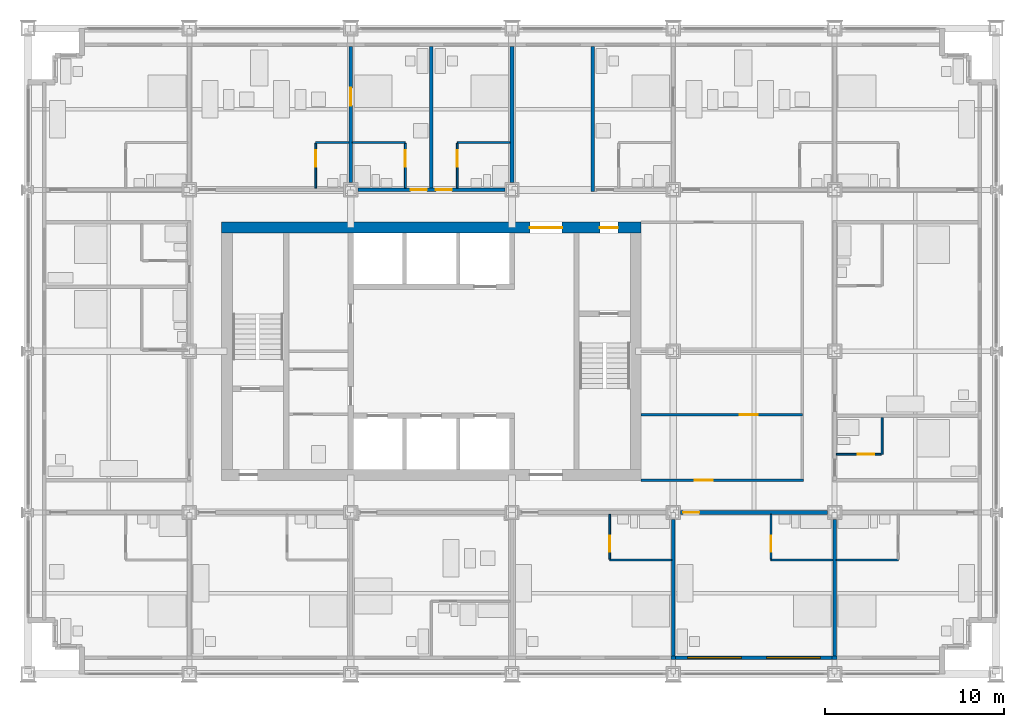
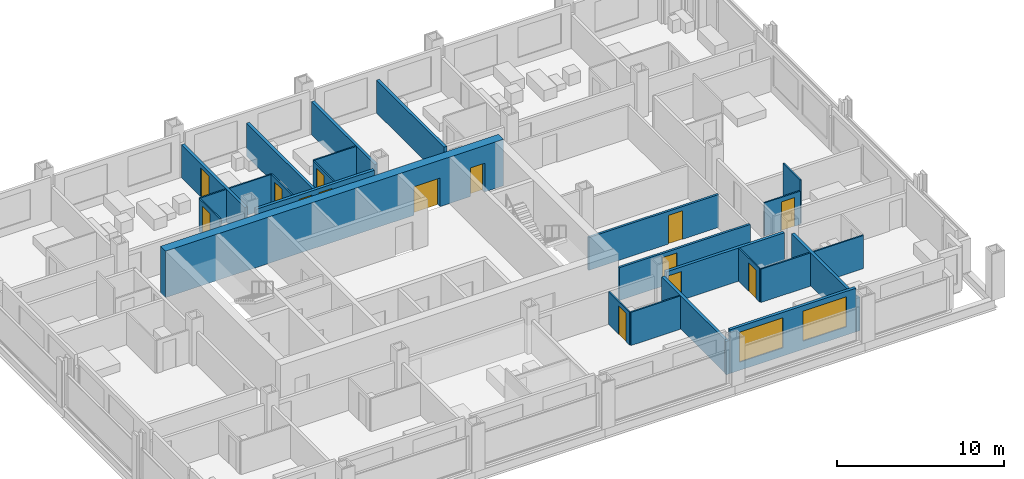
# One storey, part 12 of 18: 27 walls, 14 doors, 2 windows, 16 openings.
"""IFC4 building model written with IfcOpenShell, lengths in metres."""

import ifcopenshell
import ifcopenshell.guid

model = None  # the IFC model being written
_history = None  # IfcOwnerHistory: only IFC2X3 demands one
_inside = {}  # id of a spatial element -> (the spatial element, [elements in it])
_under = {}  # id of a project, library or spatial element -> (it, [spatial elements below it])
_declared = {}  # id of a project -> (the project, [libraries it declares])
_typed = {}  # id of a type object -> (the type object, [elements of that type])
_made_of = {}  # id of a material, layer set ... -> (it, [elements and type objects made of it])


def new_model(schema):
    """Start an empty IFC model of exactly this schema.

    Asked for "IFC4X3", IfcOpenShell would pick the latest addendum, in which some entities
    have other attributes; the version numbers below select the first issue.
    IFC2X3 requires an IfcOwnerHistory on every rooted entity: one is made here for all.
    """
    global model, _history
    if schema == "IFC4X3":
        model = ifcopenshell.file(schema_version=(4, 3, 0, 0))
    else:
        model = ifcopenshell.file(schema=schema)
    _inside.clear()
    _under.clear()
    _declared.clear()
    _typed.clear()
    _made_of.clear()
    _history = None
    if model.schema == "IFC2X3":
        org = make("IfcOrganization", Name="unknown")
        user = make(
            "IfcPersonAndOrganization",
            ThePerson=make("IfcPerson", FamilyName="unknown"),
            TheOrganization=org,
        )
        app = make(
            "IfcApplication",
            ApplicationDeveloper=org,
            Version="unknown",
            ApplicationFullName="unknown",
            ApplicationIdentifier="unknown",
        )
        _history = make(
            "IfcOwnerHistory",
            OwningUser=user,
            OwningApplication=app,
            ChangeAction="ADDED",
            CreationDate=0,
        )
    return model


def make(cls, **values):
    """One entity of the class cls with the attributes given. An attribute that is None is left unset."""
    return model.create_entity(
        cls, **{name: value for name, value in values.items() if value is not None}
    )


def rooted(cls, **values):
    """An entity with a GlobalId (a new one), such as an element, a storey or a relation."""
    return make(cls, GlobalId=ifcopenshell.guid.new(), OwnerHistory=_history, **values)


def si_unit(unit_type, name, prefix=None):
    """IfcSIUnit, for example si_unit("LENGTHUNIT", "METRE", prefix="MILLI")."""
    return make("IfcSIUnit", UnitType=unit_type, Prefix=prefix, Name=name)


def assignment(units):
    """IfcUnitAssignment: the units of a project."""
    return None if units is None else make("IfcUnitAssignment", Units=units)


def point(xyz):
    """IfcCartesianPoint."""
    return None if xyz is None else make("IfcCartesianPoint", Coordinates=xyz)


def direction(xyz):
    """IfcDirection."""
    return None if xyz is None else make("IfcDirection", DirectionRatios=xyz)


def frame(location, z_axis=None, x_axis=None):
    """IfcAxis2Placement3D, a coordinate frame: its origin and axes. An axis left out is left unset."""
    return make(
        "IfcAxis2Placement3D",
        Location=point(location),
        Axis=direction(z_axis),
        RefDirection=direction(x_axis),
    )


def frame_2d(location, x_axis=None):
    """IfcAxis2Placement2D, a coordinate frame in the plane: its origin and x axis."""
    return make(
        "IfcAxis2Placement2D", Location=point(location), RefDirection=direction(x_axis)
    )


def origin():
    """The frame at (0, 0, 0) with its axes left unset."""
    return frame((0.0, 0.0, 0.0))


def place(relative_to, where):
    """IfcLocalPlacement: puts the frame where relative to a parent placement (None: the world)."""
    return make(
        "IfcLocalPlacement", PlacementRelTo=relative_to, RelativePlacement=where
    )


def context(
    kind, dimensions, precision=None, world=None, true_north=None, identifier=None
):
    """IfcGeometricRepresentationContext, for example the 3D "Model" context."""
    return make(
        "IfcGeometricRepresentationContext",
        ContextIdentifier=identifier,
        ContextType=kind,
        CoordinateSpaceDimension=dimensions,
        Precision=precision,
        WorldCoordinateSystem=world,
        TrueNorth=true_north,
    )


def subcontext(parent, identifier, kind, view, scale=None):
    """IfcGeometricRepresentationSubContext, for example "Body" below "Model"."""
    return make(
        "IfcGeometricRepresentationSubContext",
        ContextIdentifier=identifier,
        ContextType=kind,
        ParentContext=parent,
        TargetScale=scale,
        TargetView=view,
    )


def project(units=None, contexts=None):
    """IfcProject with its units and contexts."""
    return rooted(
        "IfcProject",
        Name="project",
        RepresentationContexts=contexts,
        UnitsInContext=assignment(units),
    )


def spatial(cls, under=None, at=None, **own):
    """A site, building, storey or space (cls), placed at a placement, below another one or the project."""
    s = rooted(cls, ObjectPlacement=at, **own)
    if under is not None:
        _under.setdefault(under.id(), (under, []))[1].append(s)
    return s


def profile(cls, at=None, kind="AREA", **sizes):
    """A parametric profile (cls). Its sizes go by their IFC names, for example OverallWidth=200.0."""
    return make(cls, ProfileType=kind, Position=at, **sizes)


def rectangle(**sizes):
    """IfcRectangleProfileDef."""
    return profile("IfcRectangleProfileDef", **sizes)


def extrude(swept, where, along, depth):
    """IfcExtrudedAreaSolid: the profile swept, set in the frame where, extruded along a direction by depth."""
    return make(
        "IfcExtrudedAreaSolid",
        SweptArea=swept,
        Position=where,
        ExtrudedDirection=direction(along),
        Depth=depth,
    )


def shape(context_of_items, identifier, shape_type, items):
    """IfcShapeRepresentation: the items that make up one representation, for example the "Body"."""
    return make(
        "IfcShapeRepresentation",
        ContextOfItems=context_of_items,
        RepresentationIdentifier=identifier,
        RepresentationType=shape_type,
        Items=items,
    )


def material(Name=None, Category=None):
    """IfcMaterial."""
    return make("IfcMaterial", Name=Name, Category=Category)


def layer(
    of_material, thickness, ventilated=None, Name=None, Category=None, Priority=None
):
    """IfcMaterialLayer: one layer of a wall or slab, of a material (None: an air gap)."""
    return make(
        "IfcMaterialLayer",
        Material=of_material,
        LayerThickness=thickness,
        IsVentilated=ventilated,
        Name=Name,
        Category=Category,
        Priority=Priority,
    )


def layer_set(layers, Name=None):
    """IfcMaterialLayerSet."""
    return make("IfcMaterialLayerSet", MaterialLayers=layers, LayerSetName=Name)


def made_of(thing, what):
    """Note that an element or type object is made of a material, layer set ...; save() writes the relation."""
    if what is not None:
        _made_of.setdefault(what.id(), (what, []))[1].append(thing)
    return thing


def type_object(cls, material=None, **own):
    """A type object (cls), such as IfcWallType, which elements share."""
    return made_of(rooted(cls, **own), material)


def element(
    cls,
    number,
    at=None,
    inside=None,
    cuts=None,
    type_object=None,
    material=None,
    context=None,
    identifier="Body",
    shape_type=None,
    held_by="IfcProductDefinitionShape",
    body=None,
    shapes=None,
    **own,
):
    """One element of the class cls, such as IfcWall. Its Tag is "e" and its number.

    at: its placement. inside: the storey or other place that contains it. cuts: it is an
    opening in that element (IfcRelVoidsElement). A single representation is given by context,
    identifier, shape_type and body (its items); several are given by shapes. held_by: the class
    of the entity that holds the representations. save() writes the other relations.
    """
    e = rooted(cls, Tag="e%d" % number, ObjectPlacement=at, **own)
    if body is not None:
        shapes = [shape(context, identifier, shape_type, body)]
    if shapes is not None:
        e.Representation = make(held_by, Representations=shapes)
    if inside is not None:
        _inside.setdefault(inside.id(), (inside, []))[1].append(e)
    if cuts is not None:
        rooted(
            "IfcRelVoidsElement", RelatingBuildingElement=cuts, RelatedOpeningElement=e
        )
    if type_object is not None:
        _typed.setdefault(type_object.id(), (type_object, []))[1].append(e)
    return made_of(e, material)


def fill(opening, filler):
    """IfcRelFillsElement: the door or window that sits in an opening."""
    return rooted(
        "IfcRelFillsElement",
        RelatingOpeningElement=opening,
        RelatedBuildingElement=filler,
    )


def aggregate(whole, parts):
    """IfcRelAggregates: a whole, such as a stair, and the parts it consists of."""
    return rooted("IfcRelAggregates", RelatingObject=whole, RelatedObjects=parts)


def save(model, path):
    """Write the relations noted so far, then the file.

    IfcRelAggregates (storeys below a building ...), IfcRelContainedInSpatialStructure (elements
    in a storey), IfcRelDefinesByType, IfcRelAssociatesMaterial and IfcRelDeclares: one each for
    every whole, place, type object, material and project.
    """
    for whole, parts in _under.values():
        aggregate(whole, parts)
    for where, things in _inside.values():
        rooted(
            "IfcRelContainedInSpatialStructure",
            RelatedElements=things,
            RelatingStructure=where,
        )
    for kind, things in _typed.values():
        rooted("IfcRelDefinesByType", RelatedObjects=things, RelatingType=kind)
    for what, things in _made_of.values():
        rooted("IfcRelAssociatesMaterial", RelatedObjects=things, RelatingMaterial=what)
    for by, libraries in _declared.values():
        rooted("IfcRelDeclares", RelatingContext=by, RelatedDefinitions=libraries)
    model.write(path)


model = new_model("IFC4")

# Units and contexts
model_context = context("Model", 3, precision=1e-05, world=origin(), true_north=direction((0.0, 1.0)))
body_context = subcontext(model_context, "Body", "Model", "MODEL_VIEW")
ifc_project = project(units=[si_unit("LENGTHUNIT", "METRE"), si_unit("AREAUNIT", "SQUARE_METRE"), si_unit("VOLUMEUNIT", "CUBIC_METRE"), si_unit("PLANEANGLEUNIT", "RADIAN"), si_unit("MASSUNIT", "GRAM", prefix="KILO")], contexts=[model_context])

# Site, building, storey
site_placement = place(None, origin())
site = spatial("IfcSite", under=ifc_project, at=site_placement, CompositionType="ELEMENT")
building_placement = place(site_placement, origin())
building = spatial("IfcBuilding", under=site, at=building_placement, Name="Loomwork Tower", CompositionType="ELEMENT")
storey_placement = place(building_placement, frame((0.0, 0.0, 41.60009765625)))
storey = spatial("IfcBuildingStorey", under=building, at=storey_placement, Name="L09", CompositionType="ELEMENT", Elevation=41.60009765625)

# Wall, openings, doors
ifc_material_1 = material(Name="Concrete 14000 psi (97 MPa)", Category="concrete")
ifc_layer_1 = layer(ifc_material_1, 0.60009765625)
ifc_layer_set_1 = layer_set([ifc_layer_1], Name="Core shear wall 600")
wall_type_1 = type_object("IfcWallType", Name="Core shear wall 600", PredefinedType="SHEAR", material=ifc_layer_set_1)
wall_1_placement = place(storey_placement, frame((10.800048828125, 24.89990234375, 0.0), z_axis=(0.0, 0.0, 1.0), x_axis=(1.0, 0.0, 0.0)))
wall_1 = element("IfcWall", 1, at=wall_1_placement, inside=storey, type_object=wall_type_1, Name="Core wall north L09", PredefinedType="SHEAR", context=body_context, shape_type="SweptSolid", body=[
    extrude(rectangle(XDim=23.39990234375, YDim=0.60009765625, at=frame_2d((11.699951171875, 0.0))), origin(), (0.0, 0.0, 1.0), 3.39990234375),
])
opening_1_placement = place(wall_1_placement, frame((17.199951171875, 0.0, 0.0)))
opening_1 = element("IfcOpeningElement", 2, at=opening_1_placement, cuts=wall_1, Name="Opening D6", PredefinedType="OPENING", context=body_context, shape_type="SweptSolid", body=[
    extrude(rectangle(XDim=1.800048828125, YDim=2.10009765625, at=frame_2d((0.89990234375, 1.050048828125))), frame((0.0, 0.31005859375, 0.0), z_axis=(0.0, -1.0, 0.0), x_axis=(1.0, 0.0, 0.0)), (0.0, 0.0, 1.0), 0.6201171875),
])
opening_2_placement = place(wall_1_placement, frame((21.10009765625, 0.0, 0.0)))
opening_2 = element("IfcOpeningElement", 3, at=opening_2_placement, cuts=wall_1, Name="Opening D4", PredefinedType="OPENING", context=body_context, shape_type="SweptSolid", body=[
    extrude(rectangle(XDim=1.0, YDim=2.10009765625, at=frame_2d((0.5, 1.050048828125))), frame((0.0, 0.31005859375, 0.0), z_axis=(0.0, -1.0, 0.0), x_axis=(1.0, 0.0, 0.0)), (0.0, 0.0, 1.0), 0.6201171875),
])
ifc_material_2 = material(Name="Hollow metal door and frame")
door_type_1 = type_object("IfcDoorType", Name="Lobby passage double door 1800", OperationType="DOUBLE_DOOR_SINGLE_SWING", PredefinedType="DOOR", material=ifc_material_2)
door_1_placement = place(opening_1_placement, frame((1.800048828125, 0.0, 0.0), z_axis=(0.0, 0.0, 1.0), x_axis=(-1.0, 0.0, 0.0)))
door_1 = element("IfcDoor", 4, at=door_1_placement, inside=storey, type_object=door_type_1, Name="Lobby passage door north", OperationType="DOUBLE_DOOR_SINGLE_SWING", OverallHeight=2.10009765625, OverallWidth=1.800048828125, PredefinedType="DOOR", context=body_context, shape_type="SweptSolid", body=[
    extrude(rectangle(XDim=1.800048828125, YDim=2.10009765625, at=frame_2d((0.89990234375, 1.050048828125))), frame((0.0, 0.02490234375, 0.0), z_axis=(0.0, -1.0, 0.0), x_axis=(1.0, 0.0, 0.0)), (0.0, 0.0, 1.0), 0.050048828125),
])
fill(opening_1, door_1)
ifc_material_3 = material(Name="Hollow metal door and frame")
door_type_2 = type_object("IfcDoorType", Name="Stair door 1000", OperationType="SINGLE_SWING_RIGHT", PredefinedType="DOOR", material=ifc_material_3)
door_2_placement = place(opening_2_placement, frame((1.0, 0.0, 0.0), z_axis=(0.0, 0.0, 1.0), x_axis=(-1.0, 0.0, 0.0)))
door_2 = element("IfcDoor", 5, at=door_2_placement, inside=storey, type_object=door_type_2, Name="Stair B vestibule door", OperationType="SINGLE_SWING_LEFT", OverallHeight=2.10009765625, OverallWidth=1.0, PredefinedType="DOOR", context=body_context, shape_type="SweptSolid", body=[
    extrude(rectangle(XDim=1.0, YDim=2.10009765625, at=frame_2d((0.5, 1.050048828125))), frame((0.0, 0.02490234375, 0.0), z_axis=(0.0, -1.0, 0.0), x_axis=(1.0, 0.0, 0.0)), (0.0, 0.0, 1.0), 0.050048828125),
])
fill(opening_2, door_2)

# Wall, opening, door
ifc_material_4 = material(Name="Gypsum board on steel studs, one-hour", Category="steel")
ifc_layer_2 = layer(ifc_material_4, 0.199951171875)
ifc_layer_set_2 = layer_set([ifc_layer_2], Name="Corridor wall 200")
wall_type_2 = type_object("IfcWallType", Name="Corridor wall 200", PredefinedType="PARTITIONING", material=ifc_layer_set_2)
wall_2_placement = place(storey_placement, frame((36.39990234375, 9.0, 0.0), z_axis=(0.0, 0.0, 1.0), x_axis=(1.0, 0.0, 0.0)))
wall_2 = element("IfcWall", 6, at=wall_2_placement, inside=storey, type_object=wall_type_2, Name="South corridor wall 5", PredefinedType="PARTITIONING", context=body_context, shape_type="SweptSolid", body=[
    extrude(rectangle(XDim=8.2001953125, YDim=0.199951171875, at=frame_2d((4.10009765625, 0.0))), origin(), (0.0, 0.0, 1.0), 2.43798828125),
])
opening_3_placement = place(wall_2_placement, frame((0.14990234375, 0.0, 0.0)))
opening_3 = element("IfcOpeningElement", 7, at=opening_3_placement, cuts=wall_2, Name="Opening D1", PredefinedType="OPENING", context=body_context, shape_type="SweptSolid", body=[
    extrude(rectangle(XDim=0.89990234375, YDim=2.10009765625, at=frame_2d((0.449951171875, 1.050048828125))), frame((0.0, 0.10986328125, 0.0), z_axis=(0.0, -1.0, 0.0), x_axis=(1.0, 0.0, 0.0)), (0.0, 0.0, 1.0), 0.219970703125),
])
ifc_material_5 = material(Name="Hollow metal door and frame")
door_type_3 = type_object("IfcDoorType", Name="Guest room entry door 900", OperationType="SINGLE_SWING_LEFT", PredefinedType="DOOR", material=ifc_material_5)
door_3_placement = place(opening_3_placement, frame((0.89990234375, 0.0, 0.0), z_axis=(0.0, 0.0, 1.0), x_axis=(-1.0, 0.0, 0.0)))
door_3 = element("IfcDoor", 8, at=door_3_placement, inside=storey, type_object=door_type_3, Name="Guest room entry door L09 5", OperationType="SINGLE_SWING_RIGHT", OverallHeight=2.10009765625, OverallWidth=0.89990234375, PredefinedType="DOOR", context=body_context, shape_type="SweptSolid", body=[
    extrude(rectangle(XDim=0.89990234375, YDim=2.10009765625, at=frame_2d((0.449951171875, 1.050048828125))), frame((0.0, 0.02490234375, 0.0), z_axis=(0.0, -1.0, 0.0), x_axis=(1.0, 0.0, 0.0)), (0.0, 0.0, 1.0), 0.050048828125),
])
fill(opening_3, door_3)

# Wall, openings, doors
wall_3_placement = place(storey_placement, frame((18.39990234375, 27.0, 0.0), z_axis=(0.0, 0.0, 1.0), x_axis=(1.0, 0.0, 0.0)))
wall_3 = element("IfcWall", 9, at=wall_3_placement, inside=storey, type_object=wall_type_2, Name="North corridor wall 3", PredefinedType="PARTITIONING", context=body_context, shape_type="SweptSolid", body=[
    extrude(rectangle(XDim=8.2001953125, YDim=0.199951171875, at=frame_2d((4.10009765625, 0.0))), origin(), (0.0, 0.0, 1.0), 2.40478515625),
])
opening_4_placement = place(wall_3_placement, frame((2.949951171875, 0.0, 0.0)))
opening_4 = element("IfcOpeningElement", 10, at=opening_4_placement, cuts=wall_3, Name="Opening D1", PredefinedType="OPENING", context=body_context, shape_type="SweptSolid", body=[
    extrude(rectangle(XDim=0.89990234375, YDim=2.10009765625, at=frame_2d((0.449951171875, 1.050048828125))), frame((0.0, 0.10986328125, 0.0), z_axis=(0.0, -1.0, 0.0), x_axis=(1.0, 0.0, 0.0)), (0.0, 0.0, 1.0), 0.219970703125),
])
opening_5_placement = place(wall_3_placement, frame((4.35009765625, 0.0, 0.0)))
opening_5 = element("IfcOpeningElement", 11, at=opening_5_placement, cuts=wall_3, Name="Opening D1", PredefinedType="OPENING", context=body_context, shape_type="SweptSolid", body=[
    extrude(rectangle(XDim=0.89990234375, YDim=2.10009765625, at=frame_2d((0.449951171875, 1.050048828125))), frame((0.0, 0.10986328125, 0.0), z_axis=(0.0, -1.0, 0.0), x_axis=(1.0, 0.0, 0.0)), (0.0, 0.0, 1.0), 0.219970703125),
])
door_4_placement = place(opening_4_placement, origin())
door_4 = element("IfcDoor", 12, at=door_4_placement, inside=storey, type_object=door_type_3, Name="Guest room entry door L09 9", OperationType="SINGLE_SWING_RIGHT", OverallHeight=2.10009765625, OverallWidth=0.89990234375, PredefinedType="DOOR", context=body_context, shape_type="SweptSolid", body=[
    extrude(rectangle(XDim=0.89990234375, YDim=2.10009765625, at=frame_2d((0.449951171875, 1.050048828125))), frame((0.0, 0.02490234375, 0.0), z_axis=(0.0, -1.0, 0.0), x_axis=(1.0, 0.0, 0.0)), (0.0, 0.0, 1.0), 0.050048828125),
])
fill(opening_4, door_4)
door_5_placement = place(opening_5_placement, origin())
door_5 = element("IfcDoor", 13, at=door_5_placement, inside=storey, type_object=door_type_3, Name="Guest room entry door L09 10", OperationType="SINGLE_SWING_LEFT", OverallHeight=2.10009765625, OverallWidth=0.89990234375, PredefinedType="DOOR", context=body_context, shape_type="SweptSolid", body=[
    extrude(rectangle(XDim=0.89990234375, YDim=2.10009765625, at=frame_2d((0.449951171875, 1.050048828125))), frame((0.0, 0.02490234375, 0.0), z_axis=(0.0, -1.0, 0.0), x_axis=(1.0, 0.0, 0.0)), (0.0, 0.0, 1.0), 0.050048828125),
])
fill(opening_5, door_5)

# Wall
ifc_material_6 = material(Name="Cement board on steel studs", Category="steel")
ifc_layer_3 = layer(ifc_material_6, 0.10009765625)
ifc_layer_set_3 = layer_set([ifc_layer_3], Name="En-suite partition 100")
wall_type_3 = type_object("IfcWallType", Name="En-suite partition 100", PredefinedType="PARTITIONING", material=ifc_layer_set_3)
wall_4_placement = place(storey_placement, frame((32.449951171875, 6.35009765625, 0.0), z_axis=(0.0, 0.0, 1.0), x_axis=(1.0, 0.0, 0.0)))
element("IfcWall", 14, at=wall_4_placement, inside=storey, type_object=wall_type_3, Name="En-suite wall L09 room 4", PredefinedType="PARTITIONING", context=body_context, shape_type="SweptSolid", body=[
    extrude(rectangle(XDim=3.449951171875, YDim=0.10009765625, at=frame_2d((1.72509765625, 0.0))), origin(), (0.0, 0.0, 1.0), 2.43798828125),
])

# Wall, opening, door
wall_5_placement = place(storey_placement, frame((32.449951171875, 8.89990234375, 0.0), z_axis=(0.0, 0.0, 1.0), x_axis=(0.0, -1.0, 0.0)))
wall_5 = element("IfcWall", 15, at=wall_5_placement, inside=storey, type_object=wall_type_3, Name="En-suite side wall L09 room 4", PredefinedType="PARTITIONING", context=body_context, shape_type="SweptSolid", body=[
    extrude(rectangle(XDim=2.5, YDim=0.10009765625, at=frame_2d((1.25, 0.0))), origin(), (0.0, 0.0, 1.0), 2.40380859375),
])
opening_6_placement = place(wall_5_placement, frame((1.199951171875, 0.0, 0.0)))
opening_6 = element("IfcOpeningElement", 16, at=opening_6_placement, cuts=wall_5, Name="Opening D2", PredefinedType="OPENING", context=body_context, shape_type="SweptSolid", body=[
    extrude(rectangle(XDim=0.89990234375, YDim=2.10009765625, at=frame_2d((0.449951171875, 1.050048828125))), frame((0.0, 0.06005859375, 0.0), z_axis=(0.0, -1.0, 0.0), x_axis=(1.0, 0.0, 0.0)), (0.0, 0.0, 1.0), 0.1201171875),
])
ifc_material_7 = material(Name="Hollow metal door and frame")
door_type_4 = type_object("IfcDoorType", Name="En-suite door 900", OperationType="SINGLE_SWING_LEFT", PredefinedType="DOOR", material=ifc_material_7)
door_6_placement = place(opening_6_placement, origin())
door_6 = element("IfcDoor", 17, at=door_6_placement, inside=storey, type_object=door_type_4, Name="En-suite door room 4", OperationType="SINGLE_SWING_RIGHT", OverallHeight=2.10009765625, OverallWidth=0.89990234375, PredefinedType="DOOR", context=body_context, shape_type="SweptSolid", body=[
    extrude(rectangle(XDim=0.89990234375, YDim=2.10009765625, at=frame_2d((0.449951171875, 1.050048828125))), frame((0.0, 0.02490234375, 0.0), z_axis=(0.0, -1.0, 0.0), x_axis=(1.0, 0.0, 0.0)), (0.0, 0.0, 1.0), 0.050048828125),
])
fill(opening_6, door_6)

# Wall
wall_6_placement = place(storey_placement, frame((41.449951171875, 6.35009765625, 0.0), z_axis=(0.0, 0.0, 1.0), x_axis=(1.0, 0.0, 0.0)))
element("IfcWall", 18, at=wall_6_placement, inside=storey, type_object=wall_type_3, Name="En-suite wall L09 room 5", PredefinedType="PARTITIONING", context=body_context, shape_type="SweptSolid", body=[
    extrude(rectangle(XDim=3.449951171875, YDim=0.10009765625, at=frame_2d((1.72509765625, 0.0))), origin(), (0.0, 0.0, 1.0), 2.43798828125),
])

# Wall, opening, door
wall_7_placement = place(storey_placement, frame((41.449951171875, 8.89990234375, 0.0), z_axis=(0.0, 0.0, 1.0), x_axis=(0.0, -1.0, 0.0)))
wall_7 = element("IfcWall", 19, at=wall_7_placement, inside=storey, type_object=wall_type_3, Name="En-suite side wall L09 room 5", PredefinedType="PARTITIONING", context=body_context, shape_type="SweptSolid", body=[
    extrude(rectangle(XDim=2.5, YDim=0.10009765625, at=frame_2d((1.25, 0.0))), origin(), (0.0, 0.0, 1.0), 2.43798828125),
])
opening_7_placement = place(wall_7_placement, frame((1.199951171875, 0.0, 0.0)))
opening_7 = element("IfcOpeningElement", 20, at=opening_7_placement, cuts=wall_7, Name="Opening D2", PredefinedType="OPENING", context=body_context, shape_type="SweptSolid", body=[
    extrude(rectangle(XDim=0.89990234375, YDim=2.10009765625, at=frame_2d((0.449951171875, 1.050048828125))), frame((0.0, 0.06005859375, 0.0), z_axis=(0.0, -1.0, 0.0), x_axis=(1.0, 0.0, 0.0)), (0.0, 0.0, 1.0), 0.1201171875),
])
door_7_placement = place(opening_7_placement, origin())
door_7 = element("IfcDoor", 21, at=door_7_placement, inside=storey, type_object=door_type_4, Name="En-suite door room 5", OperationType="SINGLE_SWING_RIGHT", OverallHeight=2.10009765625, OverallWidth=0.89990234375, PredefinedType="DOOR", context=body_context, shape_type="SweptSolid", body=[
    extrude(rectangle(XDim=0.89990234375, YDim=2.10009765625, at=frame_2d((0.449951171875, 1.050048828125))), frame((0.0, 0.02490234375, 0.0), z_axis=(0.0, -1.0, 0.0), x_axis=(1.0, 0.0, 0.0)), (0.0, 0.0, 1.0), 0.050048828125),
])
fill(opening_7, door_7)

# Walls
wall_8_placement = place(storey_placement, frame((45.10009765625, 6.35009765625, 0.0), z_axis=(0.0, 0.0, 1.0), x_axis=(1.0, 0.0, 0.0)))
element("IfcWall", 22, at=wall_8_placement, inside=storey, type_object=wall_type_3, Name="En-suite wall L09 room 6", PredefinedType="PARTITIONING", context=body_context, shape_type="SweptSolid", body=[
    extrude(rectangle(XDim=3.449951171875, YDim=0.10009765625, at=frame_2d((1.72509765625, 0.0))), origin(), (0.0, 0.0, 1.0), 2.43798828125),
])
wall_9_placement = place(storey_placement, frame((16.050048828125, 29.64990234375, 0.0), z_axis=(0.0, 0.0, 1.0), x_axis=(1.0, 0.0, 0.0)))
element("IfcWall", 23, at=wall_9_placement, inside=storey, type_object=wall_type_3, Name="En-suite wall L09 room 8", PredefinedType="PARTITIONING", context=body_context, shape_type="SweptSolid", body=[
    extrude(rectangle(XDim=1.849853515625, YDim=0.10009765625, at=frame_2d((0.9248046875, 0.0))), origin(), (0.0, 0.0, 1.0), 2.40380859375),
])

# Wall, opening, door
wall_10_placement = place(storey_placement, frame((16.050048828125, 27.10009765625, 0.0), z_axis=(0.0, 0.0, 1.0), x_axis=(0.0, 1.0, 0.0)))
wall_10 = element("IfcWall", 24, at=wall_10_placement, inside=storey, type_object=wall_type_3, Name="En-suite side wall L09 room 8", PredefinedType="PARTITIONING", context=body_context, shape_type="SweptSolid", body=[
    extrude(rectangle(XDim=2.5, YDim=0.10009765625, at=frame_2d((1.25, 0.0))), origin(), (0.0, 0.0, 1.0), 2.40380859375),
])
opening_8_placement = place(wall_10_placement, frame((1.199951171875, 0.0, 0.0)))
opening_8 = element("IfcOpeningElement", 25, at=opening_8_placement, cuts=wall_10, Name="Opening D2", PredefinedType="OPENING", context=body_context, shape_type="SweptSolid", body=[
    extrude(rectangle(XDim=0.89990234375, YDim=2.10009765625, at=frame_2d((0.449951171875, 1.050048828125))), frame((0.0, 0.06005859375, 0.0), z_axis=(0.0, -1.0, 0.0), x_axis=(1.0, 0.0, 0.0)), (0.0, 0.0, 1.0), 0.1201171875),
])
door_8_placement = place(opening_8_placement, frame((0.89990234375, 0.0, 0.0), z_axis=(0.0, 0.0, 1.0), x_axis=(-1.0, 0.0, 0.0)))
door_8 = element("IfcDoor", 26, at=door_8_placement, inside=storey, type_object=door_type_4, Name="Suite powder room door room 8", OperationType="SINGLE_SWING_LEFT", OverallHeight=2.10009765625, OverallWidth=0.89990234375, PredefinedType="DOOR", context=body_context, shape_type="SweptSolid", body=[
    extrude(rectangle(XDim=0.89990234375, YDim=2.10009765625, at=frame_2d((0.449951171875, 1.050048828125))), frame((0.0, 0.02490234375, 0.0), z_axis=(0.0, -1.0, 0.0), x_axis=(1.0, 0.0, 0.0)), (0.0, 0.0, 1.0), 0.050048828125),
])
fill(opening_8, door_8)

# Wall
wall_11_placement = place(storey_placement, frame((18.10009765625, 29.64990234375, 0.0), z_axis=(0.0, 0.0, 1.0), x_axis=(1.0, 0.0, 0.0)))
element("IfcWall", 27, at=wall_11_placement, inside=storey, type_object=wall_type_3, Name="En-suite wall L09 room 9", PredefinedType="PARTITIONING", context=body_context, shape_type="SweptSolid", body=[
    extrude(rectangle(XDim=2.949951171875, YDim=0.10009765625, at=frame_2d((1.47509765625, 0.0))), origin(), (0.0, 0.0, 1.0), 2.40380859375),
])

# Wall, opening, door
wall_12_placement = place(storey_placement, frame((21.050048828125, 27.10009765625, 0.0), z_axis=(0.0, 0.0, 1.0), x_axis=(0.0, 1.0, 0.0)))
wall_12 = element("IfcWall", 28, at=wall_12_placement, inside=storey, type_object=wall_type_3, Name="En-suite side wall L09 room 9", PredefinedType="PARTITIONING", context=body_context, shape_type="SweptSolid", body=[
    extrude(rectangle(XDim=2.5, YDim=0.10009765625, at=frame_2d((1.25, 0.0))), origin(), (0.0, 0.0, 1.0), 2.40380859375),
])
opening_9_placement = place(wall_12_placement, frame((1.199951171875, 0.0, 0.0)))
opening_9 = element("IfcOpeningElement", 29, at=opening_9_placement, cuts=wall_12, Name="Opening D2", PredefinedType="OPENING", context=body_context, shape_type="SweptSolid", body=[
    extrude(rectangle(XDim=0.89990234375, YDim=2.10009765625, at=frame_2d((0.449951171875, 1.050048828125))), frame((0.0, 0.06005859375, 0.0), z_axis=(0.0, -1.0, 0.0), x_axis=(1.0, 0.0, 0.0)), (0.0, 0.0, 1.0), 0.1201171875),
])
door_9_placement = place(opening_9_placement, origin())
door_9 = element("IfcDoor", 30, at=door_9_placement, inside=storey, type_object=door_type_4, Name="En-suite door room 9", OperationType="SINGLE_SWING_RIGHT", OverallHeight=2.10009765625, OverallWidth=0.89990234375, PredefinedType="DOOR", context=body_context, shape_type="SweptSolid", body=[
    extrude(rectangle(XDim=0.89990234375, YDim=2.10009765625, at=frame_2d((0.449951171875, 1.050048828125))), frame((0.0, 0.02490234375, 0.0), z_axis=(0.0, -1.0, 0.0), x_axis=(1.0, 0.0, 0.0)), (0.0, 0.0, 1.0), 0.050048828125),
])
fill(opening_9, door_9)

# Wall
wall_13_placement = place(storey_placement, frame((23.949951171875, 29.64990234375, 0.0), z_axis=(0.0, 0.0, 1.0), x_axis=(1.0, 0.0, 0.0)))
element("IfcWall", 31, at=wall_13_placement, inside=storey, type_object=wall_type_3, Name="En-suite wall L09 room 10", PredefinedType="PARTITIONING", context=body_context, shape_type="SweptSolid", body=[
    extrude(rectangle(XDim=2.949951171875, YDim=0.10009765625, at=frame_2d((1.47509765625, 0.0))), origin(), (0.0, 0.0, 1.0), 2.40380859375),
])

# Wall, opening, door
wall_14_placement = place(storey_placement, frame((23.949951171875, 27.10009765625, 0.0), z_axis=(0.0, 0.0, 1.0), x_axis=(0.0, 1.0, 0.0)))
wall_14 = element("IfcWall", 32, at=wall_14_placement, inside=storey, type_object=wall_type_3, Name="En-suite side wall L09 room 10", PredefinedType="PARTITIONING", context=body_context, shape_type="SweptSolid", body=[
    extrude(rectangle(XDim=2.5, YDim=0.10009765625, at=frame_2d((1.25, 0.0))), origin(), (0.0, 0.0, 1.0), 2.40380859375),
])
opening_10_placement = place(wall_14_placement, frame((1.199951171875, 0.0, 0.0)))
opening_10 = element("IfcOpeningElement", 33, at=opening_10_placement, cuts=wall_14, Name="Opening D2", PredefinedType="OPENING", context=body_context, shape_type="SweptSolid", body=[
    extrude(rectangle(XDim=0.89990234375, YDim=2.10009765625, at=frame_2d((0.449951171875, 1.050048828125))), frame((0.0, 0.06005859375, 0.0), z_axis=(0.0, -1.0, 0.0), x_axis=(1.0, 0.0, 0.0)), (0.0, 0.0, 1.0), 0.1201171875),
])
door_10_placement = place(opening_10_placement, frame((0.89990234375, 0.0, 0.0), z_axis=(0.0, 0.0, 1.0), x_axis=(-1.0, 0.0, 0.0)))
door_10 = element("IfcDoor", 34, at=door_10_placement, inside=storey, type_object=door_type_4, Name="En-suite door room 10", OperationType="SINGLE_SWING_LEFT", OverallHeight=2.10009765625, OverallWidth=0.89990234375, PredefinedType="DOOR", context=body_context, shape_type="SweptSolid", body=[
    extrude(rectangle(XDim=0.89990234375, YDim=2.10009765625, at=frame_2d((0.449951171875, 1.050048828125))), frame((0.0, 0.02490234375, 0.0), z_axis=(0.0, -1.0, 0.0), x_axis=(1.0, 0.0, 0.0)), (0.0, 0.0, 1.0), 0.050048828125),
])
fill(opening_10, door_10)

# Wall
wall_15_placement = place(storey_placement, frame((47.64990234375, 12.25, 0.0), z_axis=(0.0, 0.0, 1.0), x_axis=(0.0, 1.0, 0.0)))
element("IfcWall", 35, at=wall_15_placement, inside=storey, type_object=wall_type_3, Name="En-suite wall L09 room 16", PredefinedType="PARTITIONING", context=body_context, shape_type="SweptSolid", body=[
    extrude(rectangle(XDim=2.050048828125, YDim=0.10009765625, at=frame_2d((1.02490234375, 0.0))), origin(), (0.0, 0.0, 1.0), 3.199951171875),
])

# Wall, opening, door
wall_16_placement = place(storey_placement, frame((45.10009765625, 12.25, 0.0), z_axis=(0.0, 0.0, 1.0), x_axis=(1.0, 0.0, 0.0)))
wall_16 = element("IfcWall", 36, at=wall_16_placement, inside=storey, type_object=wall_type_3, Name="En-suite side wall L09 room 16", PredefinedType="PARTITIONING", context=body_context, shape_type="SweptSolid", body=[
    extrude(rectangle(XDim=2.5, YDim=0.10009765625, at=frame_2d((1.25, 0.0))), origin(), (0.0, 0.0, 1.0), 2.43798828125),
])
opening_11_placement = place(wall_16_placement, frame((1.199951171875, 0.0, 0.0)))
opening_11 = element("IfcOpeningElement", 37, at=opening_11_placement, cuts=wall_16, Name="Opening D3", PredefinedType="OPENING", context=body_context, shape_type="SweptSolid", body=[
    extrude(rectangle(XDim=0.89990234375, YDim=2.10009765625, at=frame_2d((0.449951171875, 1.050048828125))), frame((0.0, 0.06005859375, 0.0), z_axis=(0.0, -1.0, 0.0), x_axis=(1.0, 0.0, 0.0)), (0.0, 0.0, 1.0), 0.1201171875),
])
ifc_material_8 = material(Name="Hollow metal door and frame")
door_type_5 = type_object("IfcDoorType", Name="Accessible en-suite door 900", OperationType="SLIDING_TO_LEFT", PredefinedType="DOOR", material=ifc_material_8)
door_11_placement = place(opening_11_placement, origin())
door_11 = element("IfcDoor", 38, at=door_11_placement, inside=storey, type_object=door_type_5, Name="Accessible en-suite door room 16", OperationType="SLIDING_TO_LEFT", OverallHeight=2.10009765625, OverallWidth=0.89990234375, PredefinedType="DOOR", context=body_context, shape_type="SweptSolid", body=[
    extrude(rectangle(XDim=0.89990234375, YDim=2.10009765625, at=frame_2d((0.449951171875, 1.050048828125))), frame((0.0, 0.02490234375, 0.0), z_axis=(0.0, -1.0, 0.0), x_axis=(1.0, 0.0, 0.0)), (0.0, 0.0, 1.0), 0.050048828125),
])
fill(opening_11, door_11)

# Walls
ifc_material_9 = material(Name="Gypsum board on steel studs, acoustic", Category="steel")
ifc_layer_4 = layer(ifc_material_9, 0.199951171875)
ifc_layer_set_4 = layer_set([ifc_layer_4], Name="Guest room party wall 200")
wall_type_4 = type_object("IfcWallType", Name="Guest room party wall 200", PredefinedType="PARTITIONING", material=ifc_layer_set_4)
for number, where, z_axis, x_axis, name in (
    (39, (36.0, 8.60009765625, 0.0), (0.0, 0.0, 1.0), (0.0, -1.0, 0.0), "Guest room party wall S 36"),
    (40, (45.0, 8.60009765625, 0.0), (0.0, 0.0, 1.0), (0.0, -1.0, 0.0), "Guest room party wall S 45"),
):
    element("IfcWall", number, at=place(storey_placement, frame(where, z_axis=z_axis, x_axis=x_axis)), inside=storey, type_object=wall_type_4, Name=name, PredefinedType="PARTITIONING", context=body_context, shape_type="SweptSolid", body=[
        extrude(rectangle(XDim=7.60009765625, YDim=0.199951171875, at=frame_2d((3.800048828125, 0.0))), origin(), (0.0, 0.0, 1.0), 2.43798828125),
    ])

# Wall, opening, door
wall_17_placement = place(storey_placement, frame((18.0, 27.39990234375, 0.0), z_axis=(0.0, 0.0, 1.0), x_axis=(0.0, 1.0, 0.0)))
wall_17 = element("IfcWall", 41, at=wall_17_placement, inside=storey, type_object=wall_type_4, Name="Guest room party wall N 18", PredefinedType="PARTITIONING", context=body_context, shape_type="SweptSolid", body=[
    extrude(rectangle(XDim=7.60009765625, YDim=0.199951171875, at=frame_2d((3.800048828125, 0.0))), origin(), (0.0, 0.0, 1.0), 2.40478515625),
])
opening_12_placement = place(wall_17_placement, frame((4.300048828125, 0.0, 0.0)))
opening_12 = element("IfcOpeningElement", 42, at=opening_12_placement, cuts=wall_17, Name="Opening D7", PredefinedType="OPENING", context=body_context, shape_type="SweptSolid", body=[
    extrude(rectangle(XDim=1.0, YDim=2.10009765625, at=frame_2d((0.5, 1.050048828125))), frame((0.0, 0.10986328125, 0.0), z_axis=(0.0, -1.0, 0.0), x_axis=(1.0, 0.0, 0.0)), (0.0, 0.0, 1.0), 0.219970703125),
])
ifc_material_10 = material(Name="Hollow metal door and frame")
door_type_6 = type_object("IfcDoorType", Name="Room door 1000", OperationType="SINGLE_SWING_LEFT", PredefinedType="DOOR", material=ifc_material_10)
door_12_placement = place(opening_12_placement, frame((1.0, 0.0, 0.0), z_axis=(0.0, 0.0, 1.0), x_axis=(-1.0, 0.0, 0.0)))
door_12 = element("IfcDoor", 43, at=door_12_placement, inside=storey, type_object=door_type_6, Name="Suite connecting door L09 N 18", OperationType="SINGLE_SWING_RIGHT", OverallHeight=2.10009765625, OverallWidth=1.0, PredefinedType="DOOR", context=body_context, shape_type="SweptSolid", body=[
    extrude(rectangle(XDim=1.0, YDim=2.10009765625, at=frame_2d((0.5, 1.050048828125))), frame((0.0, 0.02490234375, 0.0), z_axis=(0.0, -1.0, 0.0), x_axis=(1.0, 0.0, 0.0)), (0.0, 0.0, 1.0), 0.050048828125),
])
fill(opening_12, door_12)

# Walls
wall_18_placement = place(storey_placement, frame((22.5, 27.10009765625, 0.0), z_axis=(0.0, 0.0, 1.0), x_axis=(0.0, 1.0, 0.0)))
element("IfcWall", 44, at=wall_18_placement, inside=storey, type_object=wall_type_4, Name="Guest room party wall N 22.5", PredefinedType="PARTITIONING", context=body_context, shape_type="SweptSolid", body=[
    extrude(rectangle(XDim=7.89990234375, YDim=0.199951171875, at=frame_2d((3.949951171875, 0.0))), origin(), (0.0, 0.0, 1.0), 2.40380859375),
])
wall_19_placement = place(storey_placement, frame((27.0, 27.39990234375, 0.0), z_axis=(0.0, 0.0, 1.0), x_axis=(0.0, 1.0, 0.0)))
element("IfcWall", 45, at=wall_19_placement, inside=storey, type_object=wall_type_4, Name="Guest room party wall N 27", PredefinedType="PARTITIONING", context=body_context, shape_type="SweptSolid", body=[
    extrude(rectangle(XDim=7.60009765625, YDim=0.199951171875, at=frame_2d((3.800048828125, 0.0))), origin(), (0.0, 0.0, 1.0), 2.40478515625),
])
wall_20_placement = place(storey_placement, frame((31.5, 26.89990234375, 0.0), z_axis=(0.0, 0.0, 1.0), x_axis=(0.0, 1.0, 0.0)))
element("IfcWall", 46, at=wall_20_placement, inside=storey, type_object=wall_type_4, Name="Guest room party wall N 31.5", PredefinedType="PARTITIONING", context=body_context, shape_type="SweptSolid", body=[
    extrude(rectangle(XDim=8.10009765625, YDim=0.199951171875, at=frame_2d((4.050048828125, 0.0))), origin(), (0.0, 0.0, 1.0), 2.40380859375),
])
ifc_material_11 = material(Name="Insulated steel stud wall with gypsum lining", Category="steel")
ifc_layer_5 = layer(ifc_material_11, 0.199951171875)
ifc_layer_set_5 = layer_set([ifc_layer_5], Name="Inner skin wall 200")
wall_type_5 = type_object("IfcWallType", Name="Inner skin wall 200", PredefinedType="SOLIDWALL", material=ifc_layer_set_5)
wall_21_placement = place(storey_placement, frame((35.864501953125, 0.89990234375, 0.0), z_axis=(0.0, 0.0, 1.0), x_axis=(1.0, 0.0, 0.0)))
element("IfcWall", 47, at=wall_21_placement, inside=storey, type_object=wall_type_5, Name="Inner skin wall S bay 8", PredefinedType="SOLIDWALL", context=body_context, shape_type="SweptSolid", body=[
    extrude(rectangle(XDim=0.27099609375, YDim=0.199951171875, at=frame_2d((0.135498046875, 0.0))), origin(), (0.0, 0.0, 1.0), 2.43798828125),
])

# Wall, openings, windows
wall_22_placement = place(storey_placement, frame((36.135498046875, 0.89990234375, 0.0), z_axis=(0.0, 0.0, 1.0), x_axis=(1.0, 0.0, 0.0)))
wall_22 = element("IfcWall", 48, at=wall_22_placement, inside=storey, type_object=wall_type_5, Name="Inner skin wall S bay 9", PredefinedType="SOLIDWALL", context=body_context, shape_type="SweptSolid", body=[
    extrude(rectangle(XDim=8.72900390625, YDim=0.199951171875, at=frame_2d((4.364501953125, 0.0))), origin(), (0.0, 0.0, 1.0), 3.199951171875),
])
opening_13_placement = place(wall_22_placement, frame((0.66455078125, 0.0, 0.60009765625)))
opening_13 = element("IfcOpeningElement", 49, at=opening_13_placement, cuts=wall_22, Name="Opening CH1", PredefinedType="OPENING", context=body_context, shape_type="SweptSolid", body=[
    extrude(rectangle(XDim=3.0, YDim=2.199951171875, at=frame_2d((1.5, 1.10009765625))), frame((0.0, 0.10986328125, 0.0), z_axis=(0.0, -1.0, 0.0), x_axis=(1.0, 0.0, 0.0)), (0.0, 0.0, 1.0), 0.219970703125),
])
opening_14_placement = place(wall_22_placement, frame((5.064697265625, 0.0, 0.60009765625)))
opening_14 = element("IfcOpeningElement", 50, at=opening_14_placement, cuts=wall_22, Name="Opening CH1", PredefinedType="OPENING", context=body_context, shape_type="SweptSolid", body=[
    extrude(rectangle(XDim=3.0, YDim=2.199951171875, at=frame_2d((1.5, 1.10009765625))), frame((0.0, 0.10986328125, 0.0), z_axis=(0.0, -1.0, 0.0), x_axis=(1.0, 0.0, 0.0)), (0.0, 0.0, 1.0), 0.219970703125),
])
ifc_material_12 = material(Name="Aluminium frame with clear insulated glass", Category="aluminium")
window_type = type_object("IfcWindowType", Name="Chicago window 3000", PartitioningType="TRIPLE_PANEL_VERTICAL", PredefinedType="WINDOW", material=ifc_material_12)
window_1_placement = place(opening_13_placement, origin())
window_1 = element("IfcWindow", 51, at=window_1_placement, inside=storey, type_object=window_type, Name="Chicago window L09 bay 5", OverallHeight=2.199951171875, OverallWidth=3.0, PartitioningType="TRIPLE_PANEL_VERTICAL", PredefinedType="WINDOW", context=body_context, shape_type="SweptSolid", body=[
    extrude(rectangle(XDim=3.0, YDim=2.199951171875, at=frame_2d((1.5, 1.10009765625))), frame((0.0, 0.030029296875, 0.0), z_axis=(0.0, -1.0, 0.0), x_axis=(1.0, 0.0, 0.0)), (0.0, 0.0, 1.0), 0.06005859375),
])
fill(opening_13, window_1)
window_2_placement = place(opening_14_placement, origin())
window_2 = element("IfcWindow", 52, at=window_2_placement, inside=storey, type_object=window_type, Name="Chicago window L09 bay 5", OverallHeight=2.199951171875, OverallWidth=3.0, PartitioningType="TRIPLE_PANEL_VERTICAL", PredefinedType="WINDOW", context=body_context, shape_type="SweptSolid", body=[
    extrude(rectangle(XDim=3.0, YDim=2.199951171875, at=frame_2d((1.5, 1.10009765625))), frame((0.0, 0.030029296875, 0.0), z_axis=(0.0, -1.0, 0.0), x_axis=(1.0, 0.0, 0.0)), (0.0, 0.0, 1.0), 0.06005859375),
])
fill(opening_14, window_2)

# Wall
wall_23_placement = place(storey_placement, frame((44.864501953125, 0.89990234375, 0.0), z_axis=(0.0, 0.0, 1.0), x_axis=(1.0, 0.0, 0.0)))
element("IfcWall", 53, at=wall_23_placement, inside=storey, type_object=wall_type_5, Name="Inner skin wall S bay 10", PredefinedType="SOLIDWALL", context=body_context, shape_type="SweptSolid", body=[
    extrude(rectangle(XDim=0.27099609375, YDim=0.199951171875, at=frame_2d((0.135498046875, 0.0))), origin(), (0.0, 0.0, 1.0), 2.43798828125),
])

# Wall, opening, door
ifc_material_13 = material(Name="Gypsum board on steel studs, one-hour", Category="steel")
ifc_layer_6 = layer(ifc_material_13, 0.14990234375)
ifc_layer_set_6 = layer_set([ifc_layer_6], Name="Service partition 150")
wall_type_6 = type_object("IfcWallType", Name="Service partition 150", PredefinedType="PARTITIONING", material=ifc_layer_set_6)
wall_24_placement = place(storey_placement, frame((34.199951171875, 10.800048828125, 0.0), z_axis=(0.0, 0.0, 1.0), x_axis=(1.0, 0.0, 0.0)))
wall_24 = element("IfcWall", 54, at=wall_24_placement, inside=storey, type_object=wall_type_6, Name="Service block wall S", PredefinedType="PARTITIONING", context=body_context, shape_type="SweptSolid", body=[
    extrude(rectangle(XDim=9.074951171875, YDim=0.14990234375, at=frame_2d((4.53759765625, 0.0))), origin(), (0.0, 0.0, 1.0), 2.40380859375),
])
opening_15_placement = place(wall_24_placement, frame((3.0, 0.0, 0.0)))
opening_15 = element("IfcOpeningElement", 55, at=opening_15_placement, cuts=wall_24, Name="Opening D5", PredefinedType="OPENING", context=body_context, shape_type="SweptSolid", body=[
    extrude(rectangle(XDim=1.0, YDim=2.10009765625, at=frame_2d((0.5, 1.050048828125))), frame((0.0, 0.0849609375, 0.0), z_axis=(0.0, -1.0, 0.0), x_axis=(1.0, 0.0, 0.0)), (0.0, 0.0, 1.0), 0.169921875),
])
ifc_material_14 = material(Name="Hollow metal door and frame")
door_type_7 = type_object("IfcDoorType", Name="Service door 1000", OperationType="SINGLE_SWING_LEFT", PredefinedType="DOOR", material=ifc_material_14)
door_13_placement = place(opening_15_placement, origin())
door_13 = element("IfcDoor", 56, at=door_13_placement, inside=storey, type_object=door_type_7, Name="Housekeeping store door", OperationType="SINGLE_SWING_LEFT", OverallHeight=2.10009765625, OverallWidth=1.0, PredefinedType="DOOR", context=body_context, shape_type="SweptSolid", body=[
    extrude(rectangle(XDim=1.0, YDim=2.10009765625, at=frame_2d((0.5, 1.050048828125))), frame((0.0, 0.02490234375, 0.0), z_axis=(0.0, -1.0, 0.0), x_axis=(1.0, 0.0, 0.0)), (0.0, 0.0, 1.0), 0.050048828125),
])
fill(opening_15, door_13)

wall_25_placement = place(storey_placement, frame((34.199951171875, 14.449951171875, 0.0), z_axis=(0.0, 0.0, 1.0), x_axis=(1.0, 0.0, 0.0)))
wall_25 = element("IfcWall", 57, at=wall_25_placement, inside=storey, type_object=wall_type_6, Name="Housekeeping partition L09", PredefinedType="PARTITIONING", context=body_context, shape_type="SweptSolid", body=[
    extrude(rectangle(XDim=9.0, YDim=0.14990234375, at=frame_2d((4.5, 0.0))), origin(), (0.0, 0.0, 1.0), 2.40380859375),
])
opening_16_placement = place(wall_25_placement, frame((5.5, 0.0, 0.0)))
opening_16 = element("IfcOpeningElement", 58, at=opening_16_placement, cuts=wall_25, Name="Opening D5", PredefinedType="OPENING", context=body_context, shape_type="SweptSolid", body=[
    extrude(rectangle(XDim=1.0, YDim=2.10009765625, at=frame_2d((0.5, 1.050048828125))), frame((0.0, 0.0849609375, 0.0), z_axis=(0.0, -1.0, 0.0), x_axis=(1.0, 0.0, 0.0)), (0.0, 0.0, 1.0), 0.169921875),
])
door_14_placement = place(opening_16_placement, origin())
door_14 = element("IfcDoor", 59, at=door_14_placement, inside=storey, type_object=door_type_7, Name="Guest laundry door", OperationType="SINGLE_SWING_RIGHT", OverallHeight=2.10009765625, OverallWidth=1.0, PredefinedType="DOOR", context=body_context, shape_type="SweptSolid", body=[
    extrude(rectangle(XDim=1.0, YDim=2.10009765625, at=frame_2d((0.5, 1.050048828125))), frame((0.0, 0.02490234375, 0.0), z_axis=(0.0, -1.0, 0.0), x_axis=(1.0, 0.0, 0.0)), (0.0, 0.0, 1.0), 0.050048828125),
])
fill(opening_16, door_14)

save(model, "model.ifc")
